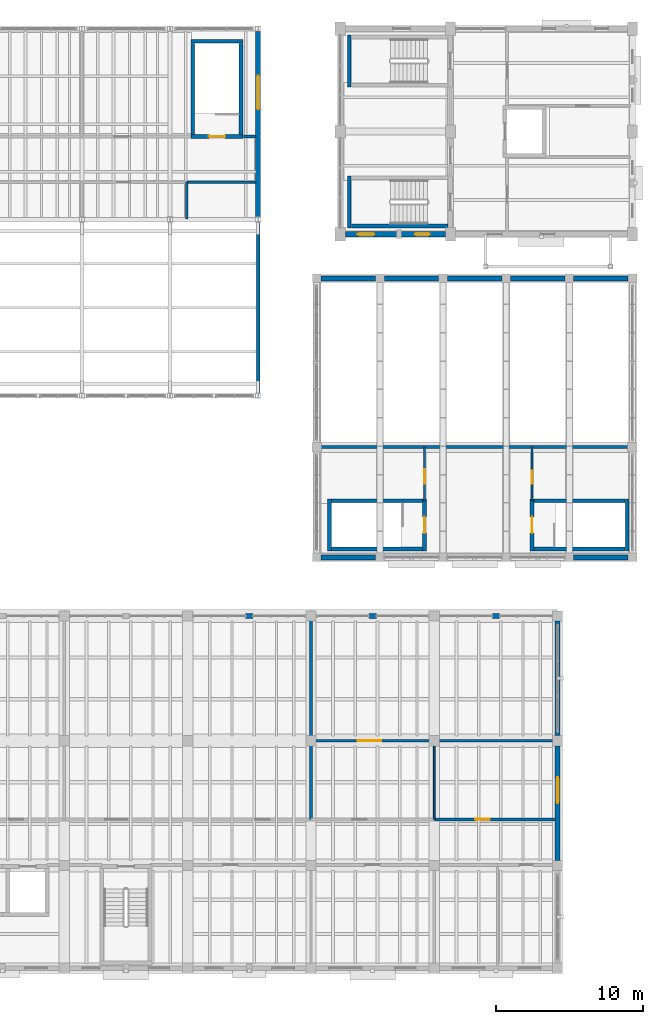
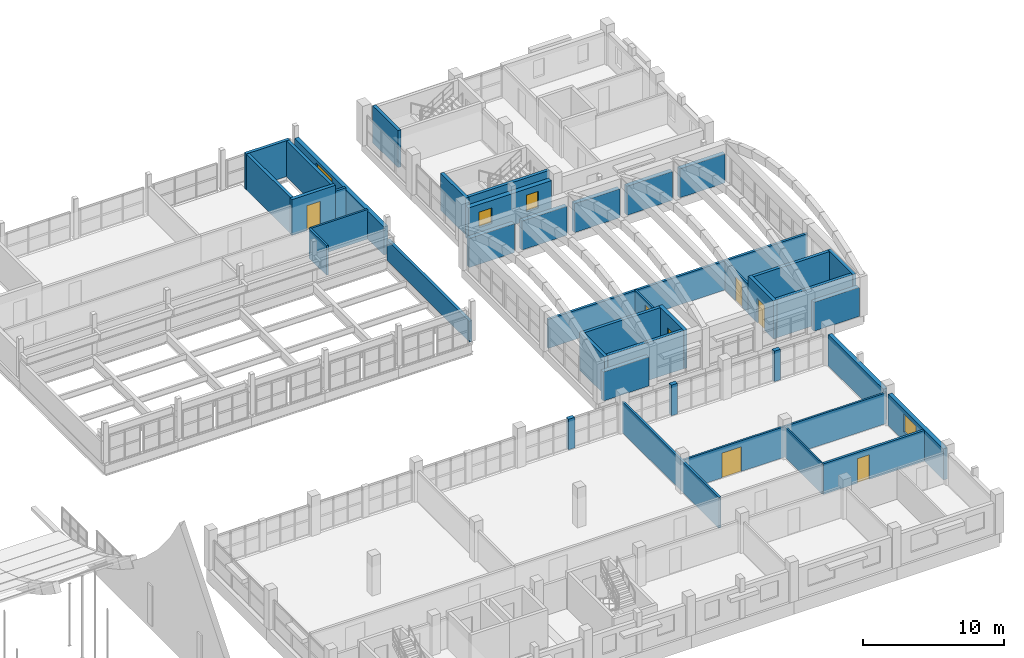
# One storey, part 64 of 77: 40 walls, 7 doors, 4 windows, 11 openings.
"""IFC4 building model written with IfcOpenShell, lengths in metres."""

from ifc_helpers import new_model, si_unit, direction, frame, frame_2d, origin, place, context, subcontext, project, spatial, rectangle, extrude, material, layer, layer_set, type_object, element, fill, save


model = new_model("IFC4")

# Units and contexts
model_context = context("Model", 3, precision=1e-05, world=origin(), true_north=direction((0.0, 1.0)))
body_context = subcontext(model_context, "Body", "Model", "MODEL_VIEW")
ifc_project = project(units=[si_unit("LENGTHUNIT", "METRE"), si_unit("AREAUNIT", "SQUARE_METRE"), si_unit("VOLUMEUNIT", "CUBIC_METRE"), si_unit("PLANEANGLEUNIT", "RADIAN"), si_unit("MASSUNIT", "GRAM", prefix="KILO")], contexts=[model_context])

# Site, building, storey
site_placement = place(None, origin())
site = spatial("IfcSite", under=ifc_project, at=site_placement, CompositionType="ELEMENT")
building_placement = place(site_placement, origin())
building = spatial("IfcBuilding", under=site, at=building_placement, Name="Trellovar Central Fire Station", CompositionType="ELEMENT")
storey_placement = place(building_placement, frame((0.0, 0.0, 5.85009765625)))
storey = spatial("IfcBuildingStorey", under=building, at=storey_placement, Name="L02", CompositionType="ELEMENT", Elevation=5.85009765625)

# Wall
ifc_material_1 = material(Name="Glazed ceramic trencadis and terracotta panel", Category="masonry")
ifc_layer_1 = layer(ifc_material_1, 0.239990234375)
ifc_layer_set_1 = layer_set([ifc_layer_1], Name="Glazed ceramic trencadis and terracotta panel")
wall_type_1 = type_object("IfcWallType", Name="EW-10", PredefinedType="STANDARD", material=ifc_layer_set_1)
wall_1_placement = place(storey_placement, frame((135.5, 48.179931640625, -0.25), z_axis=(0.0, 0.0, 1.0), x_axis=(0.0, 1.0, 0.0)))
element("IfcWall", 1, at=wall_1_placement, inside=storey, type_object=wall_type_1, Name="V6 L02 E workshop upper wall", PredefinedType="STANDARD", context=body_context, shape_type="SweptSolid", body=[
    extrude(rectangle(XDim=11.64013671875, YDim=0.239990234375, at=frame_2d((5.820068359375, 0.0))), origin(), (0.0, 0.0, 1.0), 1.7998046875),
])

# Wall, openings, windows
ifc_material_2 = material(Name="Catalan polychrome brickwork with insulated cavity", Category="masonry")
ifc_layer_2 = layer(ifc_material_2, 0.3798828125)
ifc_layer_set_2 = layer_set([ifc_layer_2], Name="Catalan polychrome brickwork with insulated cavity")
wall_type_2 = type_object("IfcWallType", Name="EW-2", PredefinedType="STANDARD", material=ifc_layer_set_2)
wall_2_placement = place(storey_placement, frame((141.449951171875, 59.0, 0.0), z_axis=(0.0, 0.0, 1.0), x_axis=(1.0, 0.0, 0.0)))
wall_2 = element("IfcWall", 2, at=wall_2_placement, inside=storey, type_object=wall_type_2, Name="V2 L02 south west bay wall", PredefinedType="STANDARD", context=body_context, shape_type="SweptSolid", body=[
    extrude(rectangle(XDim=6.800048828125, YDim=0.3798828125, at=frame_2d((3.39990234375, 0.0))), origin(), (0.0, 0.0, 1.0), 2.75),
])
opening_1_placement = place(wall_2_placement, frame((0.85009765625, 0.0, 0.75)))
opening_1 = element("IfcOpeningElement", 3, at=opening_1_placement, cuts=wall_2, Name="Opening W-17", PredefinedType="OPENING", context=body_context, shape_type="SweptSolid", body=[
    extrude(rectangle(XDim=1.10009765625, YDim=1.35009765625, at=frame_2d((0.550048828125, 0.675048828125))), frame((0.0, 0.199951171875, 0.0), z_axis=(0.0, -1.0, 0.0), x_axis=(1.0, 0.0, 0.0)), (0.0, 0.0, 1.0), 0.39990234375),
])
opening_2_placement = place(wall_2_placement, frame((4.75, 0.0, 0.75)))
opening_2 = element("IfcOpeningElement", 4, at=opening_2_placement, cuts=wall_2, Name="Opening W-20", PredefinedType="OPENING", context=body_context, shape_type="SweptSolid", body=[
    extrude(rectangle(XDim=0.97998046875, YDim=1.449951171875, at=frame_2d((0.489990234375, 0.72509765625))), frame((0.0, 0.199951171875, 0.0), z_axis=(0.0, -1.0, 0.0), x_axis=(1.0, 0.0, 0.0)), (0.0, 0.0, 1.0), 0.39990234375),
])
ifc_material_3 = material(Name="Thermally broken bronze anodized aluminum", Category="aluminium")
window_type_1 = type_object("IfcWindowType", Name="WIN-17", PartitioningType="SINGLE_PANEL", PredefinedType="WINDOW", material=ifc_material_3)
window_1_placement = place(opening_1_placement, origin())
window_1 = element("IfcWindow", 5, at=window_1_placement, inside=storey, type_object=window_type_1, Name="L02 window W-17", OverallHeight=1.35009765625, OverallWidth=1.10009765625, PartitioningType="SINGLE_PANEL", PredefinedType="WINDOW", context=body_context, shape_type="SweptSolid", body=[
    extrude(rectangle(XDim=1.10009765625, YDim=1.35009765625, at=frame_2d((0.550048828125, 0.675048828125))), frame((0.0, 0.030029296875, 0.0), z_axis=(0.0, -1.0, 0.0), x_axis=(1.0, 0.0, 0.0)), (0.0, 0.0, 1.0), 0.06005859375),
])
fill(opening_1, window_1)
ifc_material_4 = material(Name="Thermally broken bronze anodized aluminum", Category="aluminium")
window_type_2 = type_object("IfcWindowType", Name="WIN-20", PartitioningType="SINGLE_PANEL", PredefinedType="WINDOW", material=ifc_material_4)
window_2_placement = place(opening_2_placement, origin())
window_2 = element("IfcWindow", 6, at=window_2_placement, inside=storey, type_object=window_type_2, Name="L02 window W-20", OverallHeight=1.449951171875, OverallWidth=0.97998046875, PartitioningType="SINGLE_PANEL", PredefinedType="WINDOW", context=body_context, shape_type="SweptSolid", body=[
    extrude(rectangle(XDim=0.97998046875, YDim=1.449951171875, at=frame_2d((0.489990234375, 0.72509765625))), frame((0.0, 0.030029296875, 0.0), z_axis=(0.0, -1.0, 0.0), x_axis=(1.0, 0.0, 0.0)), (0.0, 0.0, 1.0), 0.06005859375),
])
fill(opening_2, window_2)

# Wall, opening, window
ifc_material_5 = material(Name="Textured desert sandstone masonry", Category="masonry")
ifc_layer_3 = layer(ifc_material_5, 0.340087890625)
ifc_layer_set_3 = layer_set([ifc_layer_3], Name="Textured desert sandstone masonry")
wall_type_3 = type_object("IfcWallType", Name="EW-3", PredefinedType="STANDARD", material=ifc_layer_set_3)
wall_3_placement = place(storey_placement, frame((135.5, 60.177978515625, 0.0), z_axis=(0.0, 0.0, 1.0), x_axis=(0.0, 1.0, 0.0)))
wall_3 = element("IfcWall", 7, at=wall_3_placement, inside=storey, type_object=wall_type_3, Name="V6 L02 E mezzanine wall", PredefinedType="STANDARD", context=body_context, shape_type="SweptSolid", body=[
    extrude(rectangle(XDim=12.64404296875, YDim=0.340087890625, at=frame_2d((6.322021484375, 0.0))), origin(), (0.0, 0.0, 1.0), 2.419189453125),
])
opening_3_placement = place(wall_3_placement, frame((7.322021484375, 0.0, 0.800048828125)))
opening_3 = element("IfcOpeningElement", 8, at=opening_3_placement, cuts=wall_3, Name="Opening W-21", PredefinedType="OPENING", context=body_context, shape_type="SweptSolid", body=[
    extrude(rectangle(XDim=2.300048828125, YDim=1.35009765625, at=frame_2d((1.14990234375, 0.675048828125))), frame((0.0, 0.179931640625, 0.0), z_axis=(0.0, -1.0, 0.0), x_axis=(1.0, 0.0, 0.0)), (0.0, 0.0, 1.0), 0.360107421875),
])
ifc_material_6 = material(Name="Thermally broken bronze anodized aluminum", Category="aluminium")
window_type_3 = type_object("IfcWindowType", Name="WIN-21", PartitioningType="TRIPLE_PANEL_VERTICAL", PredefinedType="WINDOW", material=ifc_material_6)
window_3_placement = place(opening_3_placement, origin())
window_3 = element("IfcWindow", 9, at=window_3_placement, inside=storey, type_object=window_type_3, Name="L02 window W-21", OverallHeight=1.35009765625, OverallWidth=2.300048828125, PartitioningType="TRIPLE_PANEL_VERTICAL", PredefinedType="WINDOW", context=body_context, shape_type="SweptSolid", body=[
    extrude(rectangle(XDim=2.300048828125, YDim=1.35009765625, at=frame_2d((1.14990234375, 0.675048828125))), frame((0.0, 0.030029296875, 0.0), z_axis=(0.0, -1.0, 0.0), x_axis=(1.0, 0.0, 0.0)), (0.0, 0.0, 1.0), 0.06005859375),
])
fill(opening_3, window_3)

# Walls
for number, where, z_axis, x_axis, name in (
    (10, (139.800048828125, 37.0, 0.0), (0.0, 0.0, 1.0), (1.0, 0.0, 0.0), "V3 stair bay upper south wall 1"),
    (11, (143.5, 56.0, 0.0), (0.0, 0.0, 1.0), (-1.0, 0.0, 0.0), "V3 upper north stage wall 1"),
    (12, (147.800048828125, 56.0, 0.0), (0.0, 0.0, 1.0), (-1.0, 0.0, 0.0), "V3 upper north stage wall 2"),
):
    element("IfcWall", number, at=place(storey_placement, frame(where, z_axis=z_axis, x_axis=x_axis)), inside=storey, type_object=wall_type_3, Name=name, PredefinedType="STANDARD", context=body_context, shape_type="SweptSolid", body=[
        extrude(rectangle(XDim=3.699951171875, YDim=0.340087890625, at=frame_2d((1.85009765625, 0.0))), origin(), (0.0, 0.0, 1.0), 2.5),
    ])
wall_4_placement = place(storey_placement, frame((152.10009765625, 56.0, 0.0), z_axis=(0.0, 0.0, 1.0), x_axis=(-1.0, 0.0, 0.0)))
element("IfcWall", 13, at=wall_4_placement, inside=storey, type_object=wall_type_3, Name="V3 upper north stage wall 3", PredefinedType="STANDARD", context=body_context, shape_type="SweptSolid", body=[
    extrude(rectangle(XDim=3.7001953125, YDim=0.340087890625, at=frame_2d((1.85009765625, 0.0))), origin(), (0.0, 0.0, 1.0), 2.5),
])
for number, where, z_axis, x_axis, name in (
    (14, (156.39990234375, 56.0, 0.0), (0.0, 0.0, 1.0), (-1.0, 0.0, 0.0), "V3 upper north stage wall 4"),
    (15, (157.0, 37.0, 0.0), (0.0, 0.0, 1.0), (1.0, 0.0, 0.0), "V3 stair bay upper south wall 5"),
    (16, (160.699951171875, 56.0, 0.0), (0.0, 0.0, 1.0), (-1.0, 0.0, 0.0), "V3 upper north stage wall 5"),
):
    element("IfcWall", number, at=place(storey_placement, frame(where, z_axis=z_axis, x_axis=x_axis)), inside=storey, type_object=wall_type_3, Name=name, PredefinedType="STANDARD", context=body_context, shape_type="SweptSolid", body=[
        extrude(rectangle(XDim=3.699951171875, YDim=0.340087890625, at=frame_2d((1.85009765625, 0.0))), origin(), (0.0, 0.0, 1.0), 2.5),
    ])
ifc_material_7 = material(Name="Catalan polychrome brickwork with insulated cavity", Category="masonry")
ifc_layer_4 = layer(ifc_material_7, 0.320068359375)
ifc_layer_set_4 = layer_set([ifc_layer_4], Name="Catalan polychrome brickwork with insulated cavity")
wall_type_4 = type_object("IfcWallType", Name="EW-9", PredefinedType="STANDARD", material=ifc_layer_set_4)
for number, where, z_axis, x_axis, name in (
    (17, (135.14990234375, 33.0, 0.0), (0.0, 0.0, 1.0), (-1.0, 0.0, 0.0), "V5 L02 north mullion pier"),
    (18, (143.550048828125, 33.0, 0.0), (0.0, 0.0, 1.0), (-1.0, 0.0, 0.0), "V5 L02 north mullion pier"),
    (19, (151.949951171875, 33.0, 0.0), (0.0, 0.0, 1.0), (-1.0, 0.0, 0.0), "V5 L02 north mullion pier"),
):
    element("IfcWall", number, at=place(storey_placement, frame(where, z_axis=z_axis, x_axis=x_axis)), inside=storey, type_object=wall_type_4, Name=name, PredefinedType="STANDARD", context=body_context, shape_type="SweptSolid", body=[
        extrude(rectangle(XDim=0.5, YDim=0.320068359375, at=frame_2d((0.25, 0.0))), origin(), (0.0, 0.0, 1.0), 2.639892578125),
    ])

# Wall, opening, window
wall_5_placement = place(storey_placement, frame((155.89990234375, 16.35009765625, 0.0), z_axis=(0.0, 0.0, 1.0), x_axis=(0.0, 1.0, 0.0)))
wall_5 = element("IfcWall", 20, at=wall_5_placement, inside=storey, type_object=wall_type_4, Name="V5 L02 east stepback wall", PredefinedType="STANDARD", context=body_context, shape_type="SweptSolid", body=[
    extrude(rectangle(XDim=7.7998046875, YDim=0.320068359375, at=frame_2d((3.89990234375, 0.0))), origin(), (0.0, 0.0, 1.0), 2.699951171875),
])
opening_4_placement = place(wall_5_placement, frame((3.89990234375, 0.0, 0.75)))
opening_4 = element("IfcOpeningElement", 21, at=opening_4_placement, cuts=wall_5, Name="Opening W-03", PredefinedType="OPENING", context=body_context, shape_type="SweptSolid", body=[
    extrude(rectangle(XDim=1.75, YDim=1.550048828125, at=frame_2d((0.875, 0.77490234375))), frame((0.0, 0.169921875, 0.0), z_axis=(0.0, -1.0, 0.0), x_axis=(1.0, 0.0, 0.0)), (0.0, 0.0, 1.0), 0.340087890625),
])
ifc_material_8 = material(Name="Thermally broken bronze anodized aluminum", Category="aluminium")
window_type_4 = type_object("IfcWindowType", Name="WIN-03", PartitioningType="DOUBLE_PANEL_VERTICAL", PredefinedType="WINDOW", material=ifc_material_8)
window_4_placement = place(opening_4_placement, origin())
window_4 = element("IfcWindow", 22, at=window_4_placement, inside=storey, type_object=window_type_4, Name="L02 window W-03", OverallHeight=1.550048828125, OverallWidth=1.75, PartitioningType="DOUBLE_PANEL_VERTICAL", PredefinedType="WINDOW", context=body_context, shape_type="SweptSolid", body=[
    extrude(rectangle(XDim=1.75, YDim=1.550048828125, at=frame_2d((0.875, 0.77490234375))), frame((0.0, 0.030029296875, 0.0), z_axis=(0.0, -1.0, 0.0), x_axis=(1.0, 0.0, 0.0)), (0.0, 0.0, 1.0), 0.06005859375),
])
fill(opening_4, window_4)

# Wall
wall_6_placement = place(storey_placement, frame((155.89990234375, 24.85009765625, 0.0), z_axis=(0.0, 0.0, 1.0), x_axis=(0.0, 1.0, 0.0)))
element("IfcWall", 23, at=wall_6_placement, inside=storey, type_object=wall_type_4, Name="V5 L02 east stepback wall", PredefinedType="STANDARD", context=body_context, shape_type="SweptSolid", body=[
    extrude(rectangle(XDim=7.7998046875, YDim=0.320068359375, at=frame_2d((3.89990234375, 0.0))), origin(), (0.0, 0.0, 1.0), 2.699951171875),
])

# Wall, opening, door
ifc_material_9 = material(Name="Acoustic concrete masonry unit", Category="masonry")
ifc_layer_5 = layer(ifc_material_9, 0.199951171875)
ifc_layer_set_5 = layer_set([ifc_layer_5], Name="Acoustic concrete masonry unit")
wall_type_5 = type_object("IfcWallType", Name="PT-1", PredefinedType="PARTITIONING", material=ifc_layer_set_5)
wall_7_placement = place(storey_placement, frame((147.5, 19.14990234375, 0.0), z_axis=(0.0, 0.0, 1.0), x_axis=(1.0, 0.0, 0.0)))
wall_7 = element("IfcWall", 24, at=wall_7_placement, inside=storey, type_object=wall_type_5, Name="V5 L02 north corridor spine", PredefinedType="PARTITIONING", context=body_context, shape_type="SweptSolid", body=[
    extrude(rectangle(XDim=8.25, YDim=0.199951171875, at=frame_2d((4.125, 0.0))), origin(), (0.0, 0.0, 1.0), 2.64990234375),
])
opening_5_placement = place(wall_7_placement, frame((2.800048828125, 0.0, 0.0)))
opening_5 = element("IfcOpeningElement", 25, at=opening_5_placement, cuts=wall_7, Name="Opening ID-7", PredefinedType="OPENING", context=body_context, shape_type="SweptSolid", body=[
    extrude(rectangle(XDim=0.97998046875, YDim=2.1201171875, at=frame_2d((0.489990234375, 1.06005859375))), frame((0.0, 0.10986328125, 0.0), z_axis=(0.0, -1.0, 0.0), x_axis=(1.0, 0.0, 0.0)), (0.0, 0.0, 1.0), 0.219970703125),
])
ifc_material_10 = material(Name="Solid core acoustic white oak veneer", Category="wood")
door_type_1 = type_object("IfcDoorType", Name="DR-INT7", OperationType="SINGLE_SWING_LEFT", PredefinedType="DOOR", material=ifc_material_10)
door_1_placement = place(opening_5_placement, origin())
door_1 = element("IfcDoor", 26, at=door_1_placement, inside=storey, type_object=door_type_1, Name="V5 L02 north hall door", OperationType="SINGLE_SWING_LEFT", OverallHeight=2.1201171875, OverallWidth=0.97998046875, PredefinedType="DOOR", context=body_context, shape_type="SweptSolid", body=[
    extrude(rectangle(XDim=0.97998046875, YDim=2.1201171875, at=frame_2d((0.489990234375, 1.06005859375))), frame((0.0, 0.02490234375, 0.0), z_axis=(0.0, -1.0, 0.0), x_axis=(1.0, 0.0, 0.0)), (0.0, 0.0, 1.0), 0.050048828125),
])
fill(opening_5, door_1)

# Walls
wall_8_placement = place(storey_placement, frame((134.5, 65.659912109375, 0.0), z_axis=(0.0, 0.0, 1.0), x_axis=(1.0, 0.0, 0.0)))
element("IfcWall", 27, at=wall_8_placement, inside=storey, type_object=wall_type_5, Name="V6 L02 NE stub wall", PredefinedType="PARTITIONING", context=body_context, shape_type="SweptSolid", body=[
    extrude(rectangle(XDim=0.85009765625, YDim=0.199951171875, at=frame_2d((0.425048828125, 0.0))), origin(), (0.0, 0.0, 1.0), 2.5498046875),
])
wall_9_placement = place(storey_placement, frame((139.64990234375, 44.5, 0.0), z_axis=(0.0, 0.0, 1.0), x_axis=(1.0, 0.0, 0.0)))
element("IfcWall", 28, at=wall_9_placement, inside=storey, type_object=wall_type_5, Name="V3 L02 auditorium acoustic wall", PredefinedType="PARTITIONING", context=body_context, shape_type="SweptSolid", body=[
    extrude(rectangle(XDim=21.2001953125, YDim=0.199951171875, at=frame_2d((10.60009765625, 0.0))), origin(), (0.0, 0.0, 1.0), 2.5),
])

# Wall, opening, door
ifc_material_11 = material(Name="Acoustic concrete masonry unit", Category="masonry")
ifc_layer_6 = layer(ifc_material_11, 0.159912109375)
ifc_layer_set_6 = layer_set([ifc_layer_6], Name="Acoustic concrete masonry unit")
wall_type_6 = type_object("IfcWallType", Name="PT-2", PredefinedType="PARTITIONING", material=ifc_layer_set_6)
wall_10_placement = place(storey_placement, frame((139.10009765625, 24.5, 0.0), z_axis=(0.0, 0.0, 1.0), x_axis=(1.0, 0.0, 0.0)))
wall_10 = element("IfcWall", 29, at=wall_10_placement, inside=storey, type_object=wall_type_6, Name="L02 conference divider", PredefinedType="PARTITIONING", context=body_context, shape_type="SweptSolid", body=[
    extrude(rectangle(XDim=16.64990234375, YDim=0.159912109375, at=frame_2d((8.324951171875, 0.0))), origin(), (0.0, 0.0, 1.0), 2.64990234375),
])
opening_6_placement = place(wall_10_placement, frame((3.199951171875, 0.0, 0.0)))
opening_6 = element("IfcOpeningElement", 30, at=opening_6_placement, cuts=wall_10, Name="Opening ID-4", PredefinedType="OPENING", context=body_context, shape_type="SweptSolid", body=[
    extrude(rectangle(XDim=1.60009765625, YDim=2.139892578125, at=frame_2d((0.800048828125, 1.06982421875))), frame((0.0, 0.08984375, 0.0), z_axis=(0.0, -1.0, 0.0), x_axis=(1.0, 0.0, 0.0)), (0.0, 0.0, 1.0), 0.179931640625),
])
ifc_material_12 = material(Name="Solid core acoustic white oak veneer", Category="wood")
door_type_2 = type_object("IfcDoorType", Name="DR-INT4", OperationType="DOUBLE_DOOR_SINGLE_SWING", PredefinedType="DOOR", material=ifc_material_12)
door_2_placement = place(opening_6_placement, origin())
door_2 = element("IfcDoor", 31, at=door_2_placement, inside=storey, type_object=door_type_2, Name="Battalion command conference suite door", OperationType="DOUBLE_DOOR_SINGLE_SWING", OverallHeight=2.139892578125, OverallWidth=1.60009765625, PredefinedType="DOOR", context=body_context, shape_type="SweptSolid", body=[
    extrude(rectangle(XDim=1.60009765625, YDim=2.139892578125, at=frame_2d((0.800048828125, 1.06982421875))), frame((0.0, 0.02490234375, 0.0), z_axis=(0.0, -1.0, 0.0), x_axis=(1.0, 0.0, 0.0)), (0.0, 0.0, 1.0), 0.050048828125),
])
fill(opening_6, door_2)

# Walls
wall_11_placement = place(storey_placement, frame((130.64990234375, 62.550048828125, 0.0), z_axis=(0.0, 0.0, 1.0), x_axis=(1.0, 0.0, 0.0)))
element("IfcWall", 32, at=wall_11_placement, inside=storey, type_object=wall_type_6, Name="V6 L02 south corridor wall", PredefinedType="PARTITIONING", context=body_context, shape_type="SweptSolid", body=[
    extrude(rectangle(XDim=4.7001953125, YDim=0.159912109375, at=frame_2d((2.35009765625, 0.0))), origin(), (0.0, 0.0, 1.0), 2.5498046875),
])
wall_12_placement = place(storey_placement, frame((130.64990234375, 60.050048828125, 0.0), z_axis=(0.0, 0.0, 1.0), x_axis=(0.0, 1.0, 0.0)))
element("IfcWall", 33, at=wall_12_placement, inside=storey, type_object=wall_type_6, Name="V6 L02 WC divider E", PredefinedType="PARTITIONING", context=body_context, shape_type="SweptSolid", body=[
    extrude(rectangle(XDim=2.5, YDim=0.159912109375, at=frame_2d((1.25, 0.0))), origin(), (0.0, 0.0, 1.0), 2.5498046875),
])

# Wall, opening, door
wall_13_placement = place(storey_placement, frame((146.840087890625, 40.840087890625, 0.0), z_axis=(0.0, 0.0, 1.0), x_axis=(0.0, 1.0, 0.0)))
wall_13 = element("IfcWall", 34, at=wall_13_placement, inside=storey, type_object=wall_type_6, Name="V3 L02 west foyer room wall", PredefinedType="PARTITIONING", context=body_context, shape_type="SweptSolid", body=[
    extrude(rectangle(XDim=3.659912109375, YDim=0.159912109375, at=frame_2d((1.830078125, 0.0))), origin(), (0.0, 0.0, 1.0), 2.5),
])
opening_7_placement = place(wall_13_placement, frame((1.14990234375, 0.0, 0.0)))
opening_7 = element("IfcOpeningElement", 35, at=opening_7_placement, cuts=wall_13, Name="Opening ID-1", PredefinedType="OPENING", context=body_context, shape_type="SweptSolid", body=[
    extrude(rectangle(XDim=1.0, YDim=2.1201171875, at=frame_2d((0.5, 1.06005859375))), frame((0.0, 0.08984375, 0.0), z_axis=(0.0, -1.0, 0.0), x_axis=(1.0, 0.0, 0.0)), (0.0, 0.0, 1.0), 0.179931640625),
])
ifc_material_13 = material(Name="Solid core acoustic white oak veneer", Category="wood")
door_type_3 = type_object("IfcDoorType", Name="DR-INT1", OperationType="SINGLE_SWING_LEFT", PredefinedType="DOOR", material=ifc_material_13)
door_3_placement = place(opening_7_placement, origin())
door_3 = element("IfcDoor", 36, at=door_3_placement, inside=storey, type_object=door_type_3, Name="V3 L02 west room door", OperationType="SINGLE_SWING_LEFT", OverallHeight=2.1201171875, OverallWidth=1.0, PredefinedType="DOOR", context=body_context, shape_type="SweptSolid", body=[
    extrude(rectangle(XDim=1.0, YDim=2.1201171875, at=frame_2d((0.5, 1.06005859375))), frame((0.0, 0.02490234375, 0.0), z_axis=(0.0, -1.0, 0.0), x_axis=(1.0, 0.0, 0.0)), (0.0, 0.0, 1.0), 0.050048828125),
])
fill(opening_7, door_3)

wall_14_placement = place(storey_placement, frame((154.159912109375, 40.840087890625, 0.0), z_axis=(0.0, 0.0, 1.0), x_axis=(0.0, 1.0, 0.0)))
wall_14 = element("IfcWall", 37, at=wall_14_placement, inside=storey, type_object=wall_type_6, Name="V3 L02 east foyer WC wall", PredefinedType="PARTITIONING", context=body_context, shape_type="SweptSolid", body=[
    extrude(rectangle(XDim=3.659912109375, YDim=0.159912109375, at=frame_2d((1.830078125, 0.0))), origin(), (0.0, 0.0, 1.0), 2.5),
])
opening_8_placement = place(wall_14_placement, frame((1.14990234375, 0.0, 0.0)))
opening_8 = element("IfcOpeningElement", 38, at=opening_8_placement, cuts=wall_14, Name="Opening ID-11", PredefinedType="OPENING", context=body_context, shape_type="SweptSolid", body=[
    extrude(rectangle(XDim=0.89990234375, YDim=2.080078125, at=frame_2d((0.449951171875, 1.0400390625))), frame((0.0, 0.08984375, 0.0), z_axis=(0.0, -1.0, 0.0), x_axis=(1.0, 0.0, 0.0)), (0.0, 0.0, 1.0), 0.179931640625),
])
ifc_material_14 = material(Name="Solid core acoustic white oak veneer", Category="wood")
door_type_4 = type_object("IfcDoorType", Name="DR-INT11", OperationType="SINGLE_SWING_LEFT", PredefinedType="DOOR", material=ifc_material_14)
door_4_placement = place(opening_8_placement, origin())
door_4 = element("IfcDoor", 39, at=door_4_placement, inside=storey, type_object=door_type_4, Name="V3 L02 accessible WC door", OperationType="SINGLE_SWING_RIGHT", OverallHeight=2.080078125, OverallWidth=0.89990234375, PredefinedType="DOOR", context=body_context, shape_type="SweptSolid", body=[
    extrude(rectangle(XDim=0.89990234375, YDim=2.080078125, at=frame_2d((0.449951171875, 1.0400390625))), frame((0.0, 0.02490234375, 0.0), z_axis=(0.0, -1.0, 0.0), x_axis=(1.0, 0.0, 0.0)), (0.0, 0.0, 1.0), 0.050048828125),
])
fill(opening_8, door_4)

# Walls
ifc_material_15 = material(Name="Acoustic concrete masonry unit", Category="masonry")
ifc_layer_7 = layer(ifc_material_15, 0.179931640625)
ifc_layer_set_7 = layer_set([ifc_layer_7], Name="Acoustic concrete masonry unit")
wall_type_7 = type_object("IfcWallType", Name="PT-5", PredefinedType="PARTITIONING", material=ifc_layer_set_7)
wall_15_placement = place(storey_placement, frame((139.10009765625, 19.14990234375, 0.0), z_axis=(0.0, 0.0, 1.0), x_axis=(0.0, 1.0, 0.0)))
element("IfcWall", 40, at=wall_15_placement, inside=storey, type_object=wall_type_7, Name="V5 L02 north bay divider X=139.1", PredefinedType="PARTITIONING", context=body_context, shape_type="SweptSolid", body=[
    extrude(rectangle(XDim=13.7001953125, YDim=0.179931640625, at=frame_2d((6.85009765625, 0.0))), origin(), (0.0, 0.0, 1.0), 2.64990234375),
])
ifc_material_16 = material(Name="Fire-rated acoustic gypsum stud partition", Category="gypsum")
ifc_layer_8 = layer(ifc_material_16, 0.114990234375)
ifc_layer_set_8 = layer_set([ifc_layer_8], Name="Fire-rated acoustic gypsum stud partition")
wall_type_8 = type_object("IfcWallType", Name="PT-8", PredefinedType="PARTITIONING", material=ifc_layer_set_8)
wall_16_placement = place(storey_placement, frame((147.5, 19.14990234375, 0.0), z_axis=(0.0, 0.0, 1.0), x_axis=(0.0, 1.0, 0.0)))
element("IfcWall", 41, at=wall_16_placement, inside=storey, type_object=wall_type_8, Name="L02 GIS studio divider", PredefinedType="PARTITIONING", context=body_context, shape_type="SweptSolid", body=[
    extrude(rectangle(XDim=5.35009765625, YDim=0.114990234375, at=frame_2d((2.675048828125, 0.0))), origin(), (0.0, 0.0, 1.0), 2.64990234375),
])

# Wall, opening, door
ifc_material_17 = material(Name="Concrete C40/50", Category="concrete")
ifc_layer_9 = layer(ifc_material_17, 0.280029296875)
ifc_layer_set_9 = layer_set([ifc_layer_9], Name="Concrete C40/50")
wall_type_9 = type_object("IfcWallType", Name="SW-1", PredefinedType="SHEAR", material=ifc_layer_set_9)
wall_17_placement = place(storey_placement, frame((134.47998046875, 65.659912109375, 0.0), z_axis=(0.0, 0.0, 1.0), x_axis=(-1.0, 0.0, 0.0)))
wall_17 = element("IfcWall", 42, at=wall_17_placement, inside=storey, type_object=wall_type_9, Name="Stair ST-08 L02 front corridor wall", PredefinedType="SHEAR", context=body_context, shape_type="SweptSolid", body=[
    extrude(rectangle(XDim=3.56005859375, YDim=0.280029296875, at=frame_2d((1.780029296875, 0.0))), origin(), (0.0, 0.0, 1.0), 3.099853515625),
])
opening_9_placement = place(wall_17_placement, frame((1.22998046875, 0.0, 0.0)))
opening_9 = element("IfcOpeningElement", 43, at=opening_9_placement, cuts=wall_17, Name="Opening SD-2", PredefinedType="OPENING", context=body_context, shape_type="SweptSolid", body=[
    extrude(rectangle(XDim=1.10009765625, YDim=2.14990234375, at=frame_2d((0.550048828125, 1.074951171875))), frame((0.0, 0.14990234375, 0.0), z_axis=(0.0, -1.0, 0.0), x_axis=(1.0, 0.0, 0.0)), (0.0, 0.0, 1.0), 0.300048828125),
])
ifc_material_18 = material(Name="Hollow galvanized steel with acoustic core", Category="steel")
door_type_5 = type_object("IfcDoorType", Name="DR-STR2", OperationType="SINGLE_SWING_LEFT", PredefinedType="DOOR", material=ifc_material_18)
door_5_placement = place(opening_9_placement, origin())
door_5 = element("IfcDoor", 44, at=door_5_placement, inside=storey, type_object=door_type_5, Name="Stair ST-08 L02 fire door", OperationType="SINGLE_SWING_RIGHT", OverallHeight=2.14990234375, OverallWidth=1.10009765625, PredefinedType="DOOR", context=body_context, shape_type="SweptSolid", body=[
    extrude(rectangle(XDim=1.10009765625, YDim=2.14990234375, at=frame_2d((0.550048828125, 1.074951171875))), frame((0.0, 0.02490234375, 0.0), z_axis=(0.0, -1.0, 0.0), x_axis=(1.0, 0.0, 0.0)), (0.0, 0.0, 1.0), 0.050048828125),
])
fill(opening_9, door_5)

wall_18_placement = place(storey_placement, frame((146.840087890625, 40.97998046875, 0.0), z_axis=(0.0, 0.0, 1.0), x_axis=(0.0, -1.0, 0.0)))
wall_18 = element("IfcWall", 45, at=wall_18_placement, inside=storey, type_object=wall_type_9, Name="Stair ST-09 L02 front corridor wall", PredefinedType="SHEAR", context=body_context, shape_type="SweptSolid", body=[
    extrude(rectangle(XDim=3.56005859375, YDim=0.280029296875, at=frame_2d((1.780029296875, 0.0))), origin(), (0.0, 0.0, 1.0), 3.2998046875),
])
opening_10_placement = place(wall_18_placement, frame((1.22998046875, 0.0, 0.0)))
opening_10 = element("IfcOpeningElement", 46, at=opening_10_placement, cuts=wall_18, Name="Opening SD-2", PredefinedType="OPENING", context=body_context, shape_type="SweptSolid", body=[
    extrude(rectangle(XDim=1.10009765625, YDim=2.14990234375, at=frame_2d((0.550048828125, 1.074951171875))), frame((0.0, 0.14990234375, 0.0), z_axis=(0.0, -1.0, 0.0), x_axis=(1.0, 0.0, 0.0)), (0.0, 0.0, 1.0), 0.300048828125),
])
door_6_placement = place(opening_10_placement, origin())
door_6 = element("IfcDoor", 47, at=door_6_placement, inside=storey, type_object=door_type_5, Name="Stair ST-09 L02 fire door", OperationType="SINGLE_SWING_RIGHT", OverallHeight=2.14990234375, OverallWidth=1.10009765625, PredefinedType="DOOR", context=body_context, shape_type="SweptSolid", body=[
    extrude(rectangle(XDim=1.10009765625, YDim=2.14990234375, at=frame_2d((0.550048828125, 1.074951171875))), frame((0.0, 0.02490234375, 0.0), z_axis=(0.0, -1.0, 0.0), x_axis=(1.0, 0.0, 0.0)), (0.0, 0.0, 1.0), 0.050048828125),
])
fill(opening_10, door_6)

wall_19_placement = place(storey_placement, frame((154.159912109375, 37.419921875, 0.0), z_axis=(0.0, 0.0, 1.0), x_axis=(0.0, 1.0, 0.0)))
wall_19 = element("IfcWall", 48, at=wall_19_placement, inside=storey, type_object=wall_type_9, Name="Stair ST-10 L02 front corridor wall", PredefinedType="SHEAR", context=body_context, shape_type="SweptSolid", body=[
    extrude(rectangle(XDim=3.56005859375, YDim=0.280029296875, at=frame_2d((1.780029296875, 0.0))), origin(), (0.0, 0.0, 1.0), 3.2998046875),
])
opening_11_placement = place(wall_19_placement, frame((1.22998046875, 0.0, 0.0)))
opening_11 = element("IfcOpeningElement", 49, at=opening_11_placement, cuts=wall_19, Name="Opening SD-2", PredefinedType="OPENING", context=body_context, shape_type="SweptSolid", body=[
    extrude(rectangle(XDim=1.10009765625, YDim=2.14990234375, at=frame_2d((0.550048828125, 1.074951171875))), frame((0.0, 0.14990234375, 0.0), z_axis=(0.0, -1.0, 0.0), x_axis=(1.0, 0.0, 0.0)), (0.0, 0.0, 1.0), 0.300048828125),
])
door_7_placement = place(opening_11_placement, origin())
door_7 = element("IfcDoor", 50, at=door_7_placement, inside=storey, type_object=door_type_5, Name="Stair ST-10 L02 fire door", OperationType="SINGLE_SWING_RIGHT", OverallHeight=2.14990234375, OverallWidth=1.10009765625, PredefinedType="DOOR", context=body_context, shape_type="SweptSolid", body=[
    extrude(rectangle(XDim=1.10009765625, YDim=2.14990234375, at=frame_2d((0.550048828125, 1.074951171875))), frame((0.0, 0.02490234375, 0.0), z_axis=(0.0, -1.0, 0.0), x_axis=(1.0, 0.0, 0.0)), (0.0, 0.0, 1.0), 0.050048828125),
])
fill(opening_11, door_7)

# Walls
ifc_material_19 = material(Name="Concrete C40/50", Category="concrete")
ifc_layer_10 = layer(ifc_material_19, 0.25)
ifc_layer_set_10 = layer_set([ifc_layer_10], Name="Concrete C40/50")
wall_type_10 = type_object("IfcWallType", Name="SW-2", PredefinedType="SHEAR", material=ifc_layer_set_10)
wall_20_placement = place(storey_placement, frame((141.7099609375, 59.419921875, 0.0), z_axis=(0.0, 0.0, 1.0), x_axis=(0.0, 1.0, 0.0)))
element("IfcWall", 51, at=wall_20_placement, inside=storey, type_object=wall_type_10, Name="Stair ST-05 L02 rear wall", PredefinedType="SHEAR", context=body_context, shape_type="SweptSolid", body=[
    extrude(rectangle(XDim=3.56005859375, YDim=0.25, at=frame_2d((1.780029296875, 0.0))), origin(), (0.0, 0.0, 1.0), 3.199951171875),
])
wall_21_placement = place(storey_placement, frame((141.85009765625, 59.56005859375, 0.0), z_axis=(0.0, 0.0, 1.0), x_axis=(1.0, 0.0, 0.0)))
element("IfcWall", 52, at=wall_21_placement, inside=storey, type_object=wall_type_10, Name="Stair ST-05 L02 right wall", PredefinedType="SHEAR", context=body_context, shape_type="SweptSolid", body=[
    extrude(rectangle(XDim=6.599853515625, YDim=0.25, at=frame_2d((3.2998046875, 0.0))), origin(), (0.0, 0.0, 1.0), 3.199951171875),
])
wall_22_placement = place(storey_placement, frame((141.7099609375, 69.02001953125, 0.0), z_axis=(0.0, 0.0, 1.0), x_axis=(0.0, 1.0, 0.0)))
element("IfcWall", 53, at=wall_22_placement, inside=storey, type_object=wall_type_10, Name="Stair ST-06 L02 rear wall", PredefinedType="SHEAR", context=body_context, shape_type="SweptSolid", body=[
    extrude(rectangle(XDim=3.56005859375, YDim=0.25, at=frame_2d((1.780029296875, 0.0))), origin(), (0.0, 0.0, 1.0), 3.199951171875),
])
wall_23_placement = place(storey_placement, frame((130.919921875, 72.139892578125, 0.0), z_axis=(0.0, 0.0, 1.0), x_axis=(1.0, 0.0, 0.0)))
element("IfcWall", 54, at=wall_23_placement, inside=storey, type_object=wall_type_10, Name="Stair ST-08 L02 rear wall", PredefinedType="SHEAR", context=body_context, shape_type="SweptSolid", body=[
    extrude(rectangle(XDim=3.56005859375, YDim=0.25, at=frame_2d((1.780029296875, 0.0))), origin(), (0.0, 0.0, 1.0), 3.099853515625),
])
for number, where, z_axis, x_axis, name in (
    (55, (134.340087890625, 65.800048828125, 0.0), (0.0, 0.0, 1.0), (0.0, 1.0, 0.0), "Stair ST-08 L02 left wall"),
    (56, (131.06005859375, 72.0, 0.0), (0.0, 0.0, 1.0), (0.0, -1.0, 0.0), "Stair ST-08 L02 right wall"),
):
    element("IfcWall", number, at=place(storey_placement, frame(where, z_axis=z_axis, x_axis=x_axis)), inside=storey, type_object=wall_type_10, Name=name, PredefinedType="SHEAR", context=body_context, shape_type="SweptSolid", body=[
        extrude(rectangle(XDim=6.199951171875, YDim=0.25, at=frame_2d((3.10009765625, 0.0))), origin(), (0.0, 0.0, 1.0), 3.099853515625),
    ])
wall_24_placement = place(storey_placement, frame((140.360107421875, 37.419921875, 0.0), z_axis=(0.0, 0.0, 1.0), x_axis=(0.0, 1.0, 0.0)))
element("IfcWall", 57, at=wall_24_placement, inside=storey, type_object=wall_type_10, Name="Stair ST-09 L02 rear wall", PredefinedType="SHEAR", context=body_context, shape_type="SweptSolid", body=[
    extrude(rectangle(XDim=3.56005859375, YDim=0.25, at=frame_2d((1.780029296875, 0.0))), origin(), (0.0, 0.0, 1.0), 3.2998046875),
])
for number, where, z_axis, x_axis, name in (
    (58, (146.699951171875, 40.840087890625, 0.0), (0.0, 0.0, 1.0), (-1.0, 0.0, 0.0), "Stair ST-09 L02 left wall"),
    (59, (140.5, 37.56005859375, 0.0), (0.0, 0.0, 1.0), (1.0, 0.0, 0.0), "Stair ST-09 L02 right wall"),
):
    element("IfcWall", number, at=place(storey_placement, frame(where, z_axis=z_axis, x_axis=x_axis)), inside=storey, type_object=wall_type_10, Name=name, PredefinedType="SHEAR", context=body_context, shape_type="SweptSolid", body=[
        extrude(rectangle(XDim=6.199951171875, YDim=0.25, at=frame_2d((3.10009765625, 0.0))), origin(), (0.0, 0.0, 1.0), 3.2998046875),
    ])
wall_25_placement = place(storey_placement, frame((160.639892578125, 40.97998046875, 0.0), z_axis=(0.0, 0.0, 1.0), x_axis=(0.0, -1.0, 0.0)))
element("IfcWall", 60, at=wall_25_placement, inside=storey, type_object=wall_type_10, Name="Stair ST-10 L02 rear wall", PredefinedType="SHEAR", context=body_context, shape_type="SweptSolid", body=[
    extrude(rectangle(XDim=3.56005859375, YDim=0.25, at=frame_2d((1.780029296875, 0.0))), origin(), (0.0, 0.0, 1.0), 3.2998046875),
])
for number, where, z_axis, x_axis, name in (
    (61, (154.300048828125, 37.56005859375, 0.0), (0.0, 0.0, 1.0), (1.0, 0.0, 0.0), "Stair ST-10 L02 left wall"),
    (62, (160.5, 40.840087890625, 0.0), (0.0, 0.0, 1.0), (-1.0, 0.0, 0.0), "Stair ST-10 L02 right wall"),
):
    element("IfcWall", number, at=place(storey_placement, frame(where, z_axis=z_axis, x_axis=x_axis)), inside=storey, type_object=wall_type_10, Name=name, PredefinedType="SHEAR", context=body_context, shape_type="SweptSolid", body=[
        extrude(rectangle(XDim=6.199951171875, YDim=0.25, at=frame_2d((3.10009765625, 0.0))), origin(), (0.0, 0.0, 1.0), 3.2998046875),
    ])

save(model, "model.ifc")
